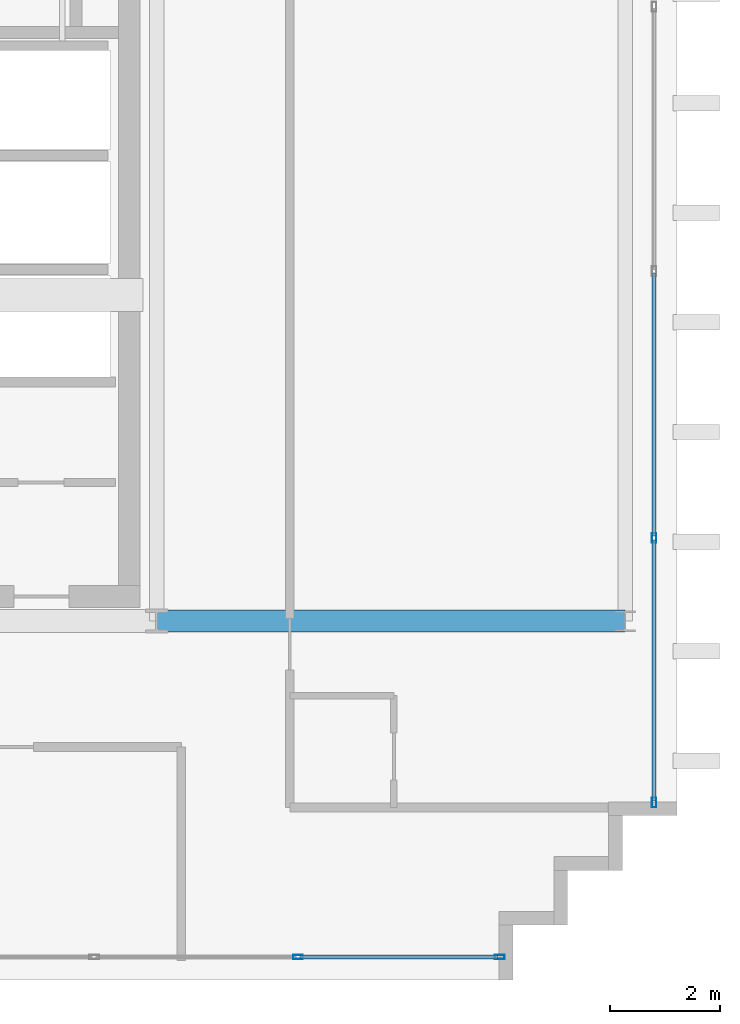
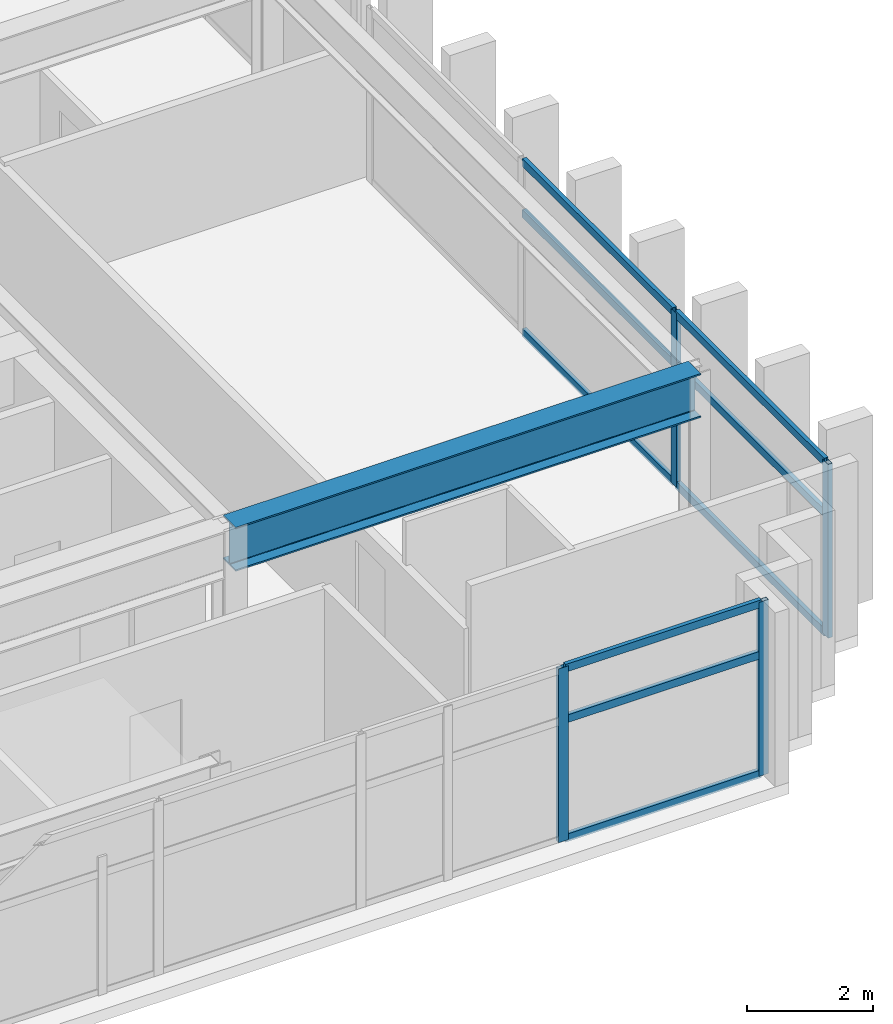
# One storey, part 4 of 15: 13 members, 1 beam, 2 elements without a shape of their own.
"""IFC4 building model written with IfcOpenShell, lengths in metres."""

from ifc_helpers import new_model, si_unit, direction, frame, origin, origin_2d, place, context, subcontext, project, spatial, hollow_rectangle, i_section, extrude, source, transform, mapped, material, layer, layer_set, material_profile, profile_set, type_object, element, aggregate, save


model = new_model("IFC4")

# Units and contexts
model_context = context("Model", 3, precision=1e-05, world=origin(), true_north=direction((0.0, 1.0)))
body_context = subcontext(model_context, "Body", "Model", "MODEL_VIEW")
ifc_project = project(units=[si_unit("LENGTHUNIT", "METRE"), si_unit("AREAUNIT", "SQUARE_METRE"), si_unit("VOLUMEUNIT", "CUBIC_METRE"), si_unit("PLANEANGLEUNIT", "RADIAN"), si_unit("MASSUNIT", "GRAM", prefix="KILO")], contexts=[model_context])

# Site, building, storey
site_placement = place(None, origin())
site = spatial("IfcSite", under=ifc_project, at=site_placement, CompositionType="ELEMENT")
building_placement = place(site_placement, origin())
building = spatial("IfcBuilding", under=site, at=building_placement, Name="Ocotamira Hotel", CompositionType="ELEMENT")
storey_placement = place(building_placement, frame((0.0, 0.0, 294.0)))
storey = spatial("IfcBuildingStorey", under=building, at=storey_placement, Name="L75", CompositionType="ELEMENT", Elevation=294.0)

# Beam
ifc_material_1 = material(Name="Steel ASTM A992 Grade 50", Category="steel")
ifc_material_profile_1 = material_profile(ifc_material_1, i_section(OverallWidth=0.39990234375, OverallDepth=0.85595703125, WebThickness=0.018310546875, FlangeThickness=0.029296875, FilletRadius=0.02001953125, at=origin_2d()), Name="W33X201")
ifc_profile_set_1 = profile_set([ifc_material_profile_1], Name="Steel ASTM A992 Grade 50")
beam_type = type_object("IfcBeamType", Name="BM-GIRD-W33X201", PredefinedType="BEAM", material=ifc_profile_set_1)
shared_shape_1 = source(origin(), body_context, "Body", "SweptSolid", [
    extrude(i_section(OverallWidth=0.39990234375, OverallDepth=0.85595703125, WebThickness=0.018310546875, FlangeThickness=0.029296875, FilletRadius=0.02001953125, at=origin_2d()), origin(), (0.0, 0.0, 1.0), 8.550048828125),
])
beam_placement = place(storey_placement, frame((23.5, 14.550048828125, 2.951904296875), z_axis=(1.0, 0.0, 0.0), x_axis=(0.0, 1.0, 0.0)))
element("IfcBeam", 1, at=beam_placement, inside=storey, type_object=beam_type, Name="L75 Girder Y14.55 X23.5-32.05", PredefinedType="BEAM", context=body_context, shape_type="MappedRepresentation", body=[
    mapped(shared_shape_1, transform((0.0, 0.0, 0.0), scale=1.0)),
])

# Curtain wall, members
ifc_material_2 = material(Name="Anodised pale-metal aluminium and solar glass", Category="aluminium")
ifc_layer = layer(ifc_material_2, 0.2099609375)
ifc_layer_set = layer_set([ifc_layer], Name="Anodised pale-metal aluminium and solar glass")
curtain_wall_type = type_object("IfcCurtainWallType", Name="CW-SYS7-PEAK", PredefinedType="NOTDEFINED", material=ifc_layer_set)
curtain_wall_1_placement = place(storey_placement, origin())
curtain_wall_1 = element("IfcCurtainWall", 2, at=curtain_wall_1_placement, inside=storey, type_object=curtain_wall_type, Name="L75 Curtain Wall CW-7 CW-L75-S1", PredefinedType="NOTDEFINED")
ifc_material_3 = material(Name="Anodised pale-metal aluminium 6063-T6", Category="aluminium")
ifc_material_profile_2 = material_profile(ifc_material_3, hollow_rectangle(XDim=0.080078125, YDim=0.179931640625, WallThickness=0.006103515625, at=origin_2d()), Name="HSS180X80X6")
ifc_profile_set_2 = profile_set([ifc_material_profile_2], Name="Anodised pale-metal aluminium 6063-T6")
member_type_1 = type_object("IfcMemberType", Name="CWM-180X75", PredefinedType="MULLION", material=ifc_profile_set_2)
shared_shape_2 = source(origin(), body_context, "Body", "SweptSolid", [
    extrude(hollow_rectangle(XDim=0.080078125, YDim=0.179931640625, WallThickness=0.006103515625, at=origin_2d()), origin(), (0.0, 0.0, 1.0), 3.3798828125),
])
member_1_placement = place(storey_placement, frame((26.080078125, 8.419921875, 0.0), z_axis=(0.0, 0.0, 1.0), x_axis=(0.0, 1.0, 0.0)))
member_1 = element("IfcMember", 3, at=member_1_placement, type_object=member_type_1, Name="CW-7 mullion 5", PredefinedType="MULLION", context=body_context, shape_type="MappedRepresentation", body=[
    mapped(shared_shape_2, transform((0.0, 0.0, 0.0), scale=1.0)),
])
member_2_placement = place(storey_placement, frame((29.760009765625, 8.419921875, 0.0), z_axis=(0.0, 0.0, 1.0), x_axis=(0.0, 1.0, 0.0)))
member_2 = element("IfcMember", 4, at=member_2_placement, type_object=member_type_1, Name="CW-7 mullion 6", PredefinedType="MULLION", context=body_context, shape_type="MappedRepresentation", body=[
    mapped(shared_shape_2, transform((0.0, 0.0, 0.0), scale=1.0)),
])

curtain_wall_2_placement = place(storey_placement, origin())
curtain_wall_2 = element("IfcCurtainWall", 5, at=curtain_wall_2_placement, inside=storey, type_object=curtain_wall_type, Name="L75 Curtain Wall CW-7 CW-L75-E1", PredefinedType="NOTDEFINED")
member_3_placement = place(storey_placement, frame((32.580078125, 11.239990234375, 0.0), z_axis=(0.0, 0.0, 1.0), x_axis=(-1.0, 0.0, 0.0)))
member_3 = element("IfcMember", 6, at=member_3_placement, type_object=member_type_1, Name="CW-7 mullion 1", PredefinedType="MULLION", context=body_context, shape_type="MappedRepresentation", body=[
    mapped(shared_shape_2, transform((0.0, 0.0, 0.0), scale=1.0)),
])
member_4_placement = place(storey_placement, frame((32.580078125, 16.066650390625, 0.0), z_axis=(0.0, 0.0, 1.0), x_axis=(-1.0, 0.0, 0.0)))
member_4 = element("IfcMember", 7, at=member_4_placement, type_object=member_type_1, Name="CW-7 mullion 2", PredefinedType="MULLION", context=body_context, shape_type="MappedRepresentation", body=[
    mapped(shared_shape_2, transform((0.0, 0.0, 0.0), scale=1.0)),
])

# Member
ifc_material_profile_3 = material_profile(ifc_material_3, hollow_rectangle(XDim=0.074951171875, YDim=0.14990234375, WallThickness=0.006103515625, at=origin_2d()), Name="HSS150X75X6")
ifc_profile_set_3 = profile_set([ifc_material_profile_3], Name="Anodised pale-metal aluminium 6063-T6")
member_type_2 = type_object("IfcMemberType", Name="CWT-150X75", PredefinedType="USERDEFINED", material=ifc_profile_set_3)
shared_shape_3 = source(origin(), body_context, "Body", "SweptSolid", [
    extrude(hollow_rectangle(XDim=0.074951171875, YDim=0.14990234375, WallThickness=0.006103515625, at=origin_2d()), origin(), (0.0, 0.0, 1.0), 3.599853515625),
])
member_5_placement = place(storey_placement, frame((26.1201171875, 8.419921875, 0.03759765625), z_axis=(1.0, 0.0, 0.0), x_axis=(0.0, 1.0, 0.0)))
member_5 = element("IfcMember", 8, at=member_5_placement, type_object=member_type_2, Name="CW-7 transom 5.1", ObjectType="TRANSOM", PredefinedType="USERDEFINED", context=body_context, shape_type="MappedRepresentation", body=[
    mapped(shared_shape_3, transform((0.0, 0.0, 0.0), scale=1.0)),
])

member_6_placement = place(storey_placement, frame((26.1201171875, 8.419921875, 2.35009765625), z_axis=(1.0, 0.0, 0.0), x_axis=(0.0, 1.0, 0.0)))
member_6 = element("IfcMember", 9, at=member_6_placement, type_object=member_type_2, Name="CW-7 transom 5.2", ObjectType="TRANSOM", PredefinedType="USERDEFINED", context=body_context, shape_type="MappedRepresentation", body=[
    mapped(shared_shape_3, transform((0.0, 0.0, 0.0), scale=1.0)),
])

member_7_placement = place(storey_placement, frame((26.1201171875, 8.419921875, 3.342529296875), z_axis=(1.0, 0.0, 0.0), x_axis=(0.0, 1.0, 0.0)))
member_7 = element("IfcMember", 10, at=member_7_placement, type_object=member_type_2, Name="CW-7 transom 5.3", ObjectType="TRANSOM", PredefinedType="USERDEFINED", context=body_context, shape_type="MappedRepresentation", body=[
    mapped(shared_shape_3, transform((0.0, 0.0, 0.0), scale=1.0)),
])

aggregate(curtain_wall_1, [member_1, member_2, member_5, member_6, member_7])

shared_shape_4 = source(origin(), body_context, "Body", "SweptSolid", [
    extrude(hollow_rectangle(XDim=0.074951171875, YDim=0.14990234375, WallThickness=0.006103515625, at=origin_2d()), origin(), (0.0, 0.0, 1.0), 4.74658203125),
])
member_8_placement = place(storey_placement, frame((32.580078125, 11.280029296875, 0.03759765625), z_axis=(0.0, 1.0, 0.0), x_axis=(-1.0, 0.0, 0.0)))
member_8 = element("IfcMember", 11, at=member_8_placement, type_object=member_type_2, Name="CW-7 transom 1.1", ObjectType="TRANSOM", PredefinedType="USERDEFINED", context=body_context, shape_type="MappedRepresentation", body=[
    mapped(shared_shape_4, transform((0.0, 0.0, 0.0), scale=1.0)),
])

member_9_placement = place(storey_placement, frame((32.580078125, 11.280029296875, 2.35009765625), z_axis=(0.0, 1.0, 0.0), x_axis=(-1.0, 0.0, 0.0)))
member_9 = element("IfcMember", 12, at=member_9_placement, type_object=member_type_2, Name="CW-7 transom 1.2", ObjectType="TRANSOM", PredefinedType="USERDEFINED", context=body_context, shape_type="MappedRepresentation", body=[
    mapped(shared_shape_4, transform((0.0, 0.0, 0.0), scale=1.0)),
])

member_10_placement = place(storey_placement, frame((32.580078125, 11.280029296875, 3.342529296875), z_axis=(0.0, 1.0, 0.0), x_axis=(-1.0, 0.0, 0.0)))
member_10 = element("IfcMember", 13, at=member_10_placement, type_object=member_type_2, Name="CW-7 transom 1.3", ObjectType="TRANSOM", PredefinedType="USERDEFINED", context=body_context, shape_type="MappedRepresentation", body=[
    mapped(shared_shape_4, transform((0.0, 0.0, 0.0), scale=1.0)),
])

shared_shape_5 = source(origin(), body_context, "Body", "SweptSolid", [
    extrude(hollow_rectangle(XDim=0.074951171875, YDim=0.14990234375, WallThickness=0.006103515625, at=origin_2d()), origin(), (0.0, 0.0, 1.0), 4.78662109375),
])
member_11_placement = place(storey_placement, frame((32.580078125, 16.106689453125, 0.03759765625), z_axis=(0.0, 1.0, 0.0), x_axis=(-1.0, 0.0, 0.0)))
member_11 = element("IfcMember", 14, at=member_11_placement, type_object=member_type_2, Name="CW-7 transom 2.1", ObjectType="TRANSOM", PredefinedType="USERDEFINED", context=body_context, shape_type="MappedRepresentation", body=[
    mapped(shared_shape_5, transform((0.0, 0.0, 0.0), scale=1.0)),
])

member_12_placement = place(storey_placement, frame((32.580078125, 16.106689453125, 2.35009765625), z_axis=(0.0, 1.0, 0.0), x_axis=(-1.0, 0.0, 0.0)))
member_12 = element("IfcMember", 15, at=member_12_placement, type_object=member_type_2, Name="CW-7 transom 2.2", ObjectType="TRANSOM", PredefinedType="USERDEFINED", context=body_context, shape_type="MappedRepresentation", body=[
    mapped(shared_shape_5, transform((0.0, 0.0, 0.0), scale=1.0)),
])

member_13_placement = place(storey_placement, frame((32.580078125, 16.106689453125, 3.342529296875), z_axis=(0.0, 1.0, 0.0), x_axis=(-1.0, 0.0, 0.0)))
member_13 = element("IfcMember", 16, at=member_13_placement, type_object=member_type_2, Name="CW-7 transom 2.3", ObjectType="TRANSOM", PredefinedType="USERDEFINED", context=body_context, shape_type="MappedRepresentation", body=[
    mapped(shared_shape_5, transform((0.0, 0.0, 0.0), scale=1.0)),
])

aggregate(curtain_wall_2, [member_3, member_4, member_8, member_9, member_10, member_11, member_12, member_13])

save(model, "model.ifc")
